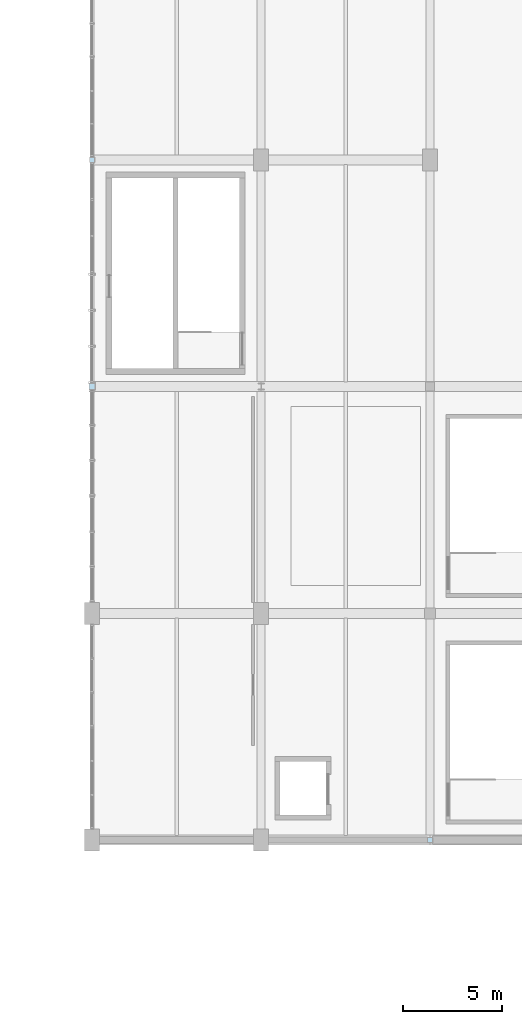
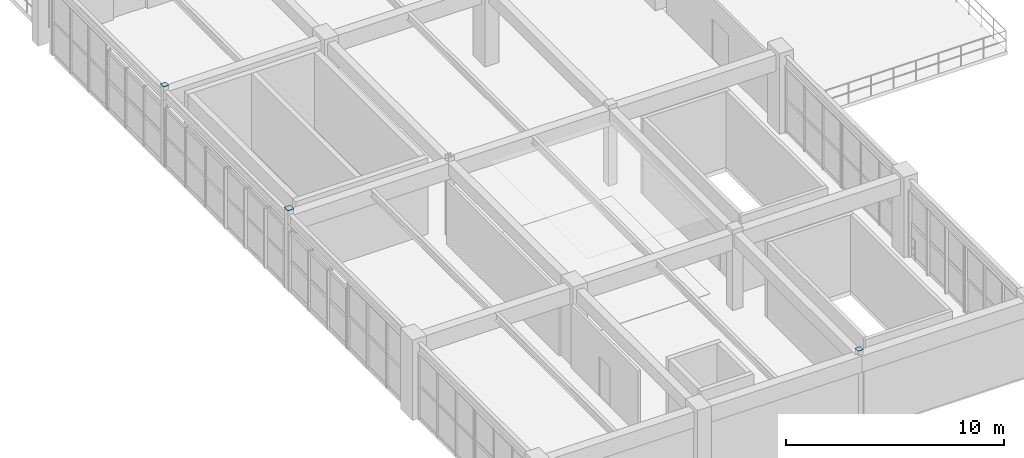
# One storey, part 63 of 80: 3 plates.
"""IFC4 building model written with IfcOpenShell, lengths in metres."""

from ifc_helpers import new_model, si_unit, direction, frame, origin, origin_2d, place, context, subcontext, project, spatial, rectangle, extrude, material, layer, layer_set, type_object, element, save


model = new_model("IFC4")

# Units and contexts
model_context = context("Model", 3, precision=1e-05, world=origin(), true_north=direction((0.0, 1.0)))
body_context = subcontext(model_context, "Body", "Model", "MODEL_VIEW")
ifc_project = project(units=[si_unit("LENGTHUNIT", "METRE"), si_unit("AREAUNIT", "SQUARE_METRE"), si_unit("VOLUMEUNIT", "CUBIC_METRE"), si_unit("PLANEANGLEUNIT", "RADIAN"), si_unit("MASSUNIT", "GRAM", prefix="KILO"), si_unit("POWERUNIT", "WATT"), si_unit("THERMODYNAMICTEMPERATUREUNIT", "KELVIN")], contexts=[model_context])

# Site, building, storey
site_placement = place(None, origin())
site = spatial("IfcSite", under=ifc_project, at=site_placement, CompositionType="ELEMENT")
building_placement = place(site_placement, origin())
building = spatial("IfcBuilding", under=site, at=building_placement, Name="Kelmbourne Parkland Aquatics Centre", CompositionType="ELEMENT")
storey_placement = place(building_placement, frame((0.0, 0.0, 10.199951171875)))
storey = spatial("IfcBuildingStorey", under=building, at=storey_placement, Name="L02", CompositionType="ELEMENT", Elevation=10.199951171875)

# Plates
ifc_material = material(Name="Welded plate steel AS/NZS 3678 Grade 350", Category="steel")
ifc_layer_1 = layer(ifc_material, 0.02001953125)
ifc_layer_set_1 = layer_set([ifc_layer_1], Name="Welded plate steel AS/NZS 3678 Grade 350")
plate_type_1 = type_object("IfcPlateType", Name="PL-CAP-20", PredefinedType="USERDEFINED", material=ifc_layer_set_1)
for number, where, z_axis, x_axis, name in (
    (1, (102.0, 46.39990234375, 4.4990234375), (0.0, 0.0, 1.0), (1.0, 0.0, 0.0), "Hollow end cap plate CAP-0012"),
    (2, (119.0, 12.199951171875, 4.4990234375), (0.0, 0.0, 1.0), (1.0, 0.0, 0.0), "Hollow end cap plate CAP-0013"),
):
    element("IfcPlate", number, at=place(storey_placement, frame(where, z_axis=z_axis, x_axis=x_axis)), inside=storey, type_object=plate_type_1, Name=name, ObjectType="END CAP PLATE", PredefinedType="USERDEFINED", context=body_context, shape_type="SweptSolid", body=[
        extrude(rectangle(XDim=0.280029296875, YDim=0.280029296875, at=origin_2d()), origin(), (0.0, 0.0, 1.0), 0.02001953125),
    ])
ifc_layer_2 = layer(ifc_material, 0.02392578125)
ifc_layer_set_2 = layer_set([ifc_layer_2], Name="Welded plate steel AS/NZS 3678 Grade 350")
plate_type_2 = type_object("IfcPlateType", Name="PL-CAP-24", PredefinedType="USERDEFINED", material=ifc_layer_set_2)
plate_placement = place(storey_placement, frame((102.0, 35.0, 4.4990234375), z_axis=(0.0, 0.0, 1.0), x_axis=(1.0, 0.0, 0.0)))
element("IfcPlate", 3, at=plate_placement, inside=storey, type_object=plate_type_2, Name="Hollow end cap plate CAP-0011", ObjectType="END CAP PLATE", PredefinedType="USERDEFINED", context=body_context, shape_type="SweptSolid", body=[
    extrude(rectangle(XDim=0.330078125, YDim=0.330078125, at=origin_2d()), origin(), (0.0, 0.0, 1.0), 0.02392578125),
])

save(model, "model.ifc")
